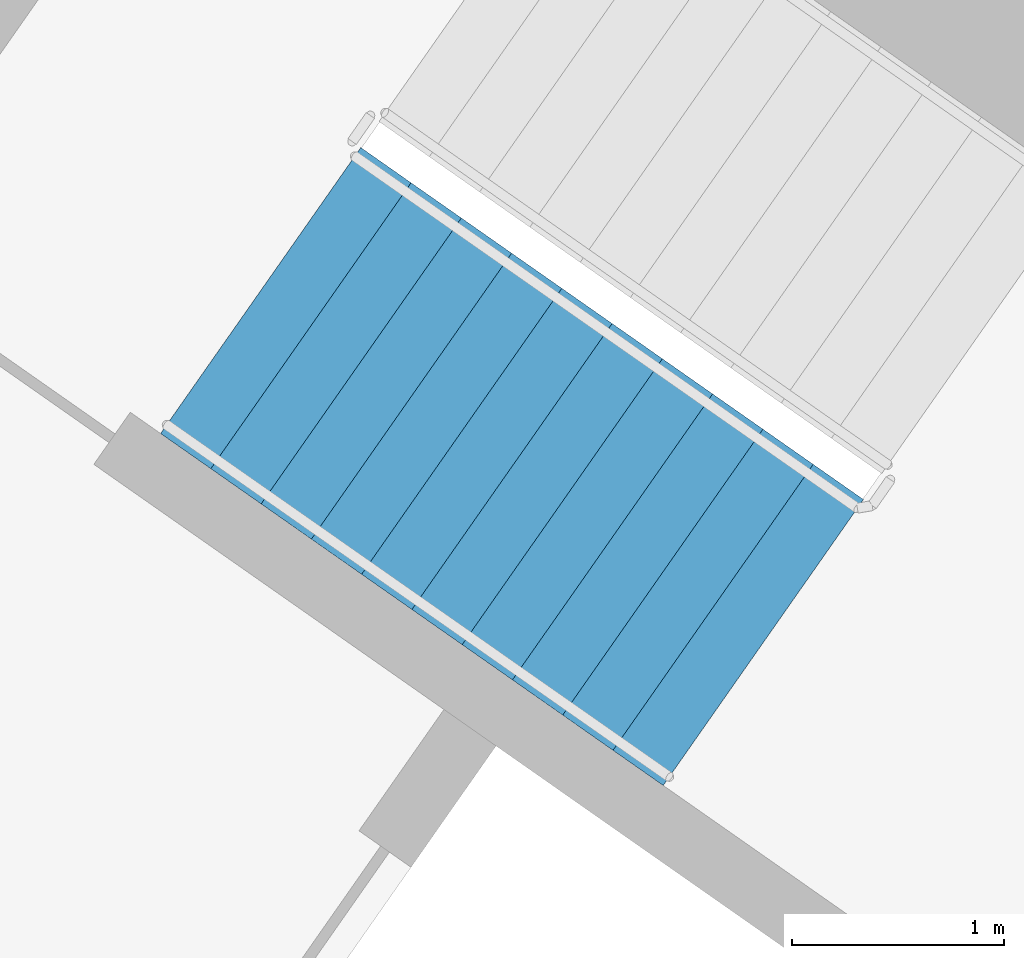
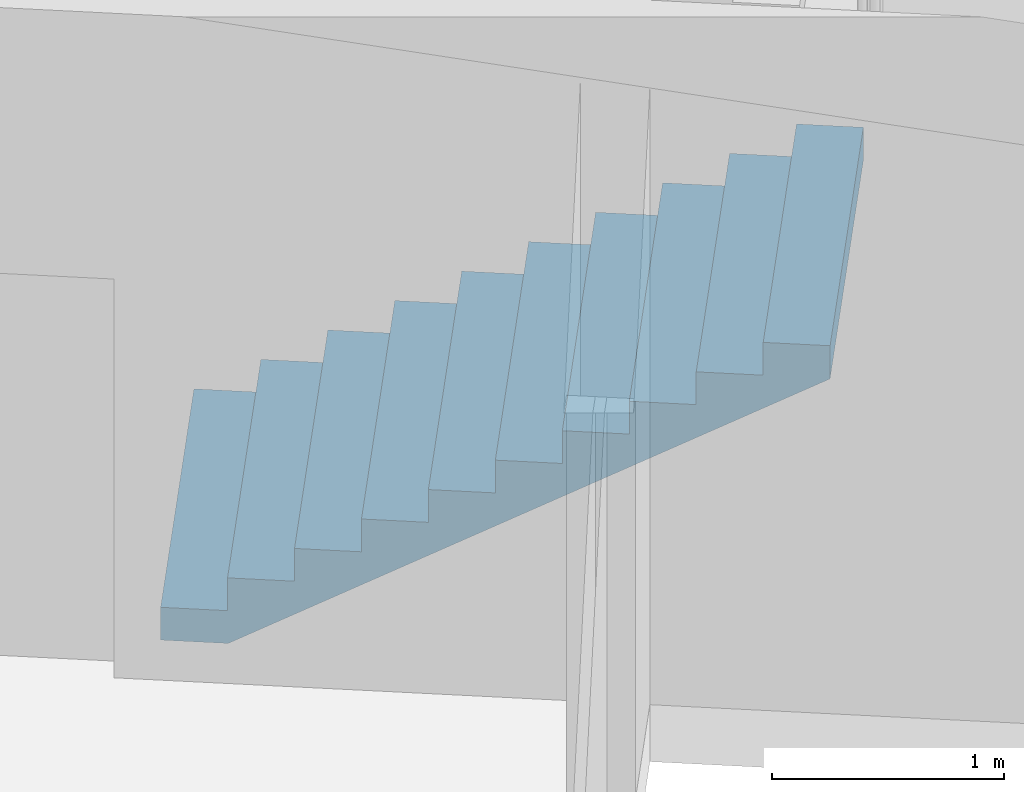
# One storey, part 12 of 30: 1 stair flight, 1 element without a shape of its own.
"""IFC4 building model written with IfcOpenShell, lengths in metres."""

from ifc_helpers import new_model, si_unit, direction, frame, origin, place, context, subcontext, project, spatial, faceted_brep, material, type_object, element, aggregate, save


model = new_model("IFC4")

# Units and contexts
model_context = context("Model", 3, precision=1e-05, world=origin(), true_north=direction((0.0, 1.0)))
body_context = subcontext(model_context, "Body", "Model", "MODEL_VIEW")
ifc_project = project(units=[si_unit("LENGTHUNIT", "METRE"), si_unit("AREAUNIT", "SQUARE_METRE"), si_unit("VOLUMEUNIT", "CUBIC_METRE"), si_unit("PLANEANGLEUNIT", "RADIAN"), si_unit("MASSUNIT", "GRAM", prefix="KILO")], contexts=[model_context])

# Site, building, storey
site_placement = place(None, origin())
site = spatial("IfcSite", under=ifc_project, at=site_placement, CompositionType="ELEMENT")
building_placement = place(site_placement, origin())
building = spatial("IfcBuilding", under=site, at=building_placement, Name="Qamariyya Broadcast Tower", CompositionType="ELEMENT")
storey_placement = place(building_placement, frame((0.0, 0.0, 102.5)))
storey = spatial("IfcBuildingStorey", under=building, at=storey_placement, Name="L22", CompositionType="ELEMENT", Elevation=102.5)

# Stair, stair flight
ifc_material = material(Name="Concrete C50/60", Category="concrete")
stair_type = type_object("IfcStairType", Name="Exit stair 22 risers of 173 mm", PredefinedType="HALF_TURN_STAIR", material=ifc_material)
stair_placement = place(storey_placement, origin())
stair = element("IfcStair", 1, at=stair_placement, inside=storey, type_object=stair_type, Name="L22 Stair W2", PredefinedType="HALF_TURN_STAIR")
stair_flight_type = type_object("IfcStairFlightType", Name="Exit stair flight 11 risers of 173 mm", PredefinedType="STRAIGHT", material=ifc_material)
stair_flight_placement = place(storey_placement, frame((-41.59130859375, -49.15966796875, 0.0), z_axis=(0.0, 0.0, 1.0), x_axis=(0.819152044289, -0.573576436351, 0.0)))
stair_flight = element("IfcStairFlight", 2, at=stair_flight_placement, type_object=stair_flight_type, Name="ST-W2 flight 1", NumberOfRisers=11, NumberOfTreads=10, PredefinedType="STRAIGHT", RiserHeight=0.172727273, TreadLength=0.29, context=body_context, shape_type="Brep", body=[
    faceted_brep([(0.0, 0.824951171875, 0.0), (0.0, 0.824951171875, 0.172607421875), (0.2900390625, 0.824951171875, 0.172607421875), (0.2900390625, 0.824951171875, 0.345458984375), (0.580078125, 0.824951171875, 0.345458984375), (0.580078125, 0.824951171875, 0.51806640625), (0.8701171875, 0.824951171875, 0.51806640625), (0.8701171875, 0.824951171875, 0.69091796875), (1.159912109375, 0.824951171875, 0.69091796875), (1.159912109375, 0.824951171875, 0.863525390625), (1.449951171875, 0.824951171875, 0.863525390625), (1.449951171875, 0.824951171875, 1.036376953125), (1.739990234375, 0.824951171875, 1.036376953125), (1.739990234375, 0.824951171875, 1.208984375), (2.030029296875, 0.824951171875, 1.208984375), (2.030029296875, 0.824951171875, 1.3818359375), (2.320068359375, 0.824951171875, 1.3818359375), (2.320068359375, 0.824951171875, 1.554443359375), (2.610107421875, 0.824951171875, 1.554443359375), (2.610107421875, 0.824951171875, 1.727294921875), (2.89990234375, 0.824951171875, 1.727294921875), (2.89990234375, 0.824951171875, 1.552734375), (0.29296875, 0.824951171875, 0.0), (0.29296875, -0.824951171875, 0.0), (2.89990234375, -0.824951171875, 1.552734375), (2.89990234375, -0.824951171875, 1.727294921875), (2.610107421875, -0.824951171875, 1.727294921875), (2.610107421875, -0.824951171875, 1.554443359375), (2.320068359375, -0.824951171875, 1.554443359375), (2.320068359375, -0.824951171875, 1.3818359375), (2.030029296875, -0.824951171875, 1.3818359375), (2.030029296875, -0.824951171875, 1.208984375), (1.739990234375, -0.824951171875, 1.208984375), (1.739990234375, -0.824951171875, 1.036376953125), (1.449951171875, -0.824951171875, 1.036376953125), (1.449951171875, -0.824951171875, 0.863525390625), (1.159912109375, -0.824951171875, 0.863525390625), (1.159912109375, -0.824951171875, 0.69091796875), (0.8701171875, -0.824951171875, 0.69091796875), (0.8701171875, -0.824951171875, 0.51806640625), (0.580078125, -0.824951171875, 0.51806640625), (0.580078125, -0.824951171875, 0.345458984375), (0.2900390625, -0.824951171875, 0.345458984375), (0.2900390625, -0.824951171875, 0.172607421875), (0.0, -0.824951171875, 0.172607421875), (0.0, -0.824951171875, 0.0), (0.0, 0.10009765625, 0.0), (0.0, 0.086669921875, 0.0), (0.0, 0.0732421875, 0.0), (0.0, 0.06005859375, 0.0), (0.0, 0.046630859375, 0.0), (0.0, 0.033447265625, 0.0), (0.0, 0.02001953125, 0.0), (0.0, 0.006591796875, 0.0), (0.0, -0.006591796875, 0.0), (0.0, -0.02001953125, 0.0), (0.0, -0.033447265625, 0.0), (0.0, -0.046630859375, 0.0), (0.0, -0.06005859375, 0.0), (0.0, -0.0732421875, 0.0), (0.0, -0.086669921875, 0.0), (0.0, -0.10009765625, 0.0), (0.0, -0.10009765625, 0.172607421875), (0.0, -0.086669921875, 0.172607421875), (0.0, -0.0732421875, 0.172607421875), (0.0, -0.06005859375, 0.172607421875), (0.0, -0.046630859375, 0.172607421875), (0.0, -0.033447265625, 0.172607421875), (0.0, -0.02001953125, 0.172607421875), (0.0, -0.006591796875, 0.172607421875), (0.0, 0.006591796875, 0.172607421875), (0.0, 0.02001953125, 0.172607421875), (0.0, 0.033447265625, 0.172607421875), (0.0, 0.046630859375, 0.172607421875), (0.0, 0.06005859375, 0.172607421875), (0.0, 0.0732421875, 0.172607421875), (0.0, 0.086669921875, 0.172607421875), (0.0, 0.10009765625, 0.172607421875), (0.2900390625, -0.10009765625, 0.172607421875), (0.2900390625, -0.086669921875, 0.172607421875), (0.2900390625, -0.0732421875, 0.172607421875), (0.2900390625, -0.06005859375, 0.172607421875), (0.2900390625, -0.046630859375, 0.172607421875), (0.2900390625, -0.033447265625, 0.172607421875), (0.2900390625, -0.02001953125, 0.172607421875), (0.2900390625, -0.006591796875, 0.172607421875), (0.2900390625, 0.006591796875, 0.172607421875), (0.2900390625, 0.02001953125, 0.172607421875), (0.2900390625, 0.033447265625, 0.172607421875), (0.2900390625, 0.046630859375, 0.172607421875), (0.2900390625, 0.06005859375, 0.172607421875), (0.2900390625, 0.0732421875, 0.172607421875), (0.2900390625, 0.086669921875, 0.172607421875), (0.2900390625, 0.10009765625, 0.172607421875), (0.2900390625, -0.10009765625, 0.345458984375), (0.2900390625, -0.086669921875, 0.345458984375), (0.2900390625, -0.0732421875, 0.345458984375), (0.2900390625, -0.06005859375, 0.345458984375), (0.2900390625, -0.046630859375, 0.345458984375), (0.2900390625, -0.033447265625, 0.345458984375), (0.2900390625, -0.02001953125, 0.345458984375), (0.2900390625, -0.006591796875, 0.345458984375), (0.2900390625, 0.006591796875, 0.345458984375), (0.2900390625, 0.02001953125, 0.345458984375), (0.2900390625, 0.033447265625, 0.345458984375), (0.2900390625, 0.046630859375, 0.345458984375), (0.2900390625, 0.06005859375, 0.345458984375), (0.2900390625, 0.0732421875, 0.345458984375), (0.2900390625, 0.086669921875, 0.345458984375), (0.2900390625, 0.10009765625, 0.345458984375), (0.580078125, -0.10009765625, 0.345458984375), (0.580078125, -0.086669921875, 0.345458984375), (0.580078125, -0.0732421875, 0.345458984375), (0.580078125, -0.06005859375, 0.345458984375), (0.580078125, -0.046630859375, 0.345458984375), (0.580078125, -0.033447265625, 0.345458984375), (0.580078125, -0.02001953125, 0.345458984375), (0.580078125, -0.006591796875, 0.345458984375), (0.580078125, 0.006591796875, 0.345458984375), (0.580078125, 0.02001953125, 0.345458984375), (0.580078125, 0.033447265625, 0.345458984375), (0.580078125, 0.046630859375, 0.345458984375), (0.580078125, 0.06005859375, 0.345458984375), (0.580078125, 0.0732421875, 0.345458984375), (0.580078125, 0.086669921875, 0.345458984375), (0.580078125, 0.10009765625, 0.345458984375), (0.580078125, -0.10009765625, 0.51806640625), (0.580078125, -0.086669921875, 0.51806640625), (0.580078125, -0.0732421875, 0.51806640625), (0.580078125, -0.06005859375, 0.51806640625), (0.580078125, -0.046630859375, 0.51806640625), (0.580078125, -0.033447265625, 0.51806640625), (0.580078125, -0.02001953125, 0.51806640625), (0.580078125, -0.006591796875, 0.51806640625), (0.580078125, 0.006591796875, 0.51806640625), (0.580078125, 0.02001953125, 0.51806640625), (0.580078125, 0.033447265625, 0.51806640625), (0.580078125, 0.046630859375, 0.51806640625), (0.580078125, 0.06005859375, 0.51806640625), (0.580078125, 0.0732421875, 0.51806640625), (0.580078125, 0.086669921875, 0.51806640625), (0.580078125, 0.10009765625, 0.51806640625), (0.8701171875, -0.10009765625, 0.51806640625), (0.8701171875, -0.086669921875, 0.51806640625), (0.8701171875, -0.0732421875, 0.51806640625), (0.8701171875, -0.06005859375, 0.51806640625), (0.8701171875, -0.046630859375, 0.51806640625), (0.8701171875, -0.033447265625, 0.51806640625), (0.8701171875, -0.02001953125, 0.51806640625), (0.8701171875, -0.006591796875, 0.51806640625), (0.8701171875, 0.006591796875, 0.51806640625), (0.8701171875, 0.02001953125, 0.51806640625), (0.8701171875, 0.033447265625, 0.51806640625), (0.8701171875, 0.046630859375, 0.51806640625), (0.8701171875, 0.06005859375, 0.51806640625), (0.8701171875, 0.0732421875, 0.51806640625), (0.8701171875, 0.086669921875, 0.51806640625), (0.8701171875, 0.10009765625, 0.51806640625), (0.8701171875, -0.10009765625, 0.69091796875), (0.8701171875, -0.086669921875, 0.69091796875), (0.8701171875, -0.0732421875, 0.69091796875), (0.8701171875, -0.06005859375, 0.69091796875), (0.8701171875, -0.046630859375, 0.69091796875), (0.8701171875, -0.033447265625, 0.69091796875), (0.8701171875, -0.02001953125, 0.69091796875), (0.8701171875, -0.006591796875, 0.69091796875), (0.8701171875, 0.006591796875, 0.69091796875), (0.8701171875, 0.02001953125, 0.69091796875), (0.8701171875, 0.033447265625, 0.69091796875), (0.8701171875, 0.046630859375, 0.69091796875), (0.8701171875, 0.06005859375, 0.69091796875), (0.8701171875, 0.0732421875, 0.69091796875), (0.8701171875, 0.086669921875, 0.69091796875), (0.8701171875, 0.10009765625, 0.69091796875), (1.159912109375, -0.10009765625, 0.69091796875), (1.159912109375, -0.086669921875, 0.69091796875), (1.159912109375, -0.0732421875, 0.69091796875), (1.159912109375, -0.06005859375, 0.69091796875), (1.159912109375, -0.046630859375, 0.69091796875), (1.159912109375, -0.033447265625, 0.69091796875), (1.159912109375, -0.02001953125, 0.69091796875), (1.159912109375, -0.006591796875, 0.69091796875), (1.159912109375, 0.006591796875, 0.69091796875), (1.159912109375, 0.02001953125, 0.69091796875), (1.159912109375, 0.033447265625, 0.69091796875), (1.159912109375, 0.046630859375, 0.69091796875), (1.159912109375, 0.06005859375, 0.69091796875), (1.159912109375, 0.0732421875, 0.69091796875), (1.159912109375, 0.086669921875, 0.69091796875), (1.159912109375, 0.10009765625, 0.69091796875), (1.159912109375, -0.10009765625, 0.863525390625), (1.159912109375, -0.086669921875, 0.863525390625), (1.159912109375, -0.0732421875, 0.863525390625), (1.159912109375, -0.06005859375, 0.863525390625), (1.159912109375, -0.046630859375, 0.863525390625), (1.159912109375, -0.033447265625, 0.863525390625), (1.159912109375, -0.02001953125, 0.863525390625), (1.159912109375, -0.006591796875, 0.863525390625), (1.159912109375, 0.006591796875, 0.863525390625), (1.159912109375, 0.02001953125, 0.863525390625), (1.159912109375, 0.033447265625, 0.863525390625), (1.159912109375, 0.046630859375, 0.863525390625), (1.159912109375, 0.06005859375, 0.863525390625), (1.159912109375, 0.0732421875, 0.863525390625), (1.159912109375, 0.086669921875, 0.863525390625), (1.159912109375, 0.10009765625, 0.863525390625), (1.449951171875, -0.10009765625, 0.863525390625), (1.449951171875, -0.086669921875, 0.863525390625), (1.449951171875, -0.0732421875, 0.863525390625), (1.449951171875, -0.06005859375, 0.863525390625), (1.449951171875, -0.046630859375, 0.863525390625), (1.449951171875, -0.033447265625, 0.863525390625), (1.449951171875, -0.02001953125, 0.863525390625), (1.449951171875, -0.006591796875, 0.863525390625), (1.449951171875, 0.006591796875, 0.863525390625), (1.449951171875, 0.02001953125, 0.863525390625), (1.449951171875, 0.033447265625, 0.863525390625), (1.449951171875, 0.046630859375, 0.863525390625), (1.449951171875, 0.06005859375, 0.863525390625), (1.449951171875, 0.0732421875, 0.863525390625), (1.449951171875, 0.086669921875, 0.863525390625), (1.449951171875, 0.10009765625, 0.863525390625), (1.449951171875, -0.10009765625, 1.036376953125), (1.449951171875, -0.086669921875, 1.036376953125), (1.449951171875, -0.0732421875, 1.036376953125), (1.449951171875, -0.06005859375, 1.036376953125), (1.449951171875, -0.046630859375, 1.036376953125), (1.449951171875, -0.033447265625, 1.036376953125), (1.449951171875, -0.02001953125, 1.036376953125), (1.449951171875, -0.006591796875, 1.036376953125), (1.449951171875, 0.006591796875, 1.036376953125), (1.449951171875, 0.02001953125, 1.036376953125), (1.449951171875, 0.033447265625, 1.036376953125), (1.449951171875, 0.046630859375, 1.036376953125), (1.449951171875, 0.06005859375, 1.036376953125), (1.449951171875, 0.0732421875, 1.036376953125), (1.449951171875, 0.086669921875, 1.036376953125), (1.449951171875, 0.10009765625, 1.036376953125), (1.739990234375, -0.10009765625, 1.036376953125), (1.739990234375, -0.086669921875, 1.036376953125), (1.739990234375, -0.0732421875, 1.036376953125), (1.739990234375, -0.06005859375, 1.036376953125), (1.739990234375, -0.046630859375, 1.036376953125), (1.739990234375, -0.033447265625, 1.036376953125), (1.739990234375, -0.02001953125, 1.036376953125), (1.739990234375, -0.006591796875, 1.036376953125), (1.739990234375, 0.006591796875, 1.036376953125), (1.739990234375, 0.02001953125, 1.036376953125), (1.739990234375, 0.033447265625, 1.036376953125), (1.739990234375, 0.046630859375, 1.036376953125), (1.739990234375, 0.06005859375, 1.036376953125), (1.739990234375, 0.0732421875, 1.036376953125), (1.739990234375, 0.086669921875, 1.036376953125), (1.739990234375, 0.10009765625, 1.036376953125), (1.739990234375, -0.10009765625, 1.208984375), (1.739990234375, -0.086669921875, 1.208984375), (1.739990234375, -0.0732421875, 1.208984375), (1.739990234375, -0.06005859375, 1.208984375), (1.739990234375, -0.046630859375, 1.208984375), (1.739990234375, -0.033447265625, 1.208984375), (1.739990234375, -0.02001953125, 1.208984375), (1.739990234375, -0.006591796875, 1.208984375), (1.739990234375, 0.006591796875, 1.208984375), (1.739990234375, 0.02001953125, 1.208984375), (1.739990234375, 0.033447265625, 1.208984375), (1.739990234375, 0.046630859375, 1.208984375), (1.739990234375, 0.06005859375, 1.208984375), (1.739990234375, 0.0732421875, 1.208984375), (1.739990234375, 0.086669921875, 1.208984375), (1.739990234375, 0.10009765625, 1.208984375), (2.030029296875, -0.10009765625, 1.208984375), (2.030029296875, -0.086669921875, 1.208984375), (2.030029296875, -0.0732421875, 1.208984375), (2.030029296875, -0.06005859375, 1.208984375), (2.030029296875, -0.046630859375, 1.208984375), (2.030029296875, -0.033447265625, 1.208984375), (2.030029296875, -0.02001953125, 1.208984375), (2.030029296875, -0.006591796875, 1.208984375), (2.030029296875, 0.006591796875, 1.208984375), (2.030029296875, 0.02001953125, 1.208984375), (2.030029296875, 0.033447265625, 1.208984375), (2.030029296875, 0.046630859375, 1.208984375), (2.030029296875, 0.06005859375, 1.208984375), (2.030029296875, 0.0732421875, 1.208984375), (2.030029296875, 0.086669921875, 1.208984375), (2.030029296875, 0.10009765625, 1.208984375), (2.030029296875, -0.10009765625, 1.3818359375), (2.030029296875, -0.086669921875, 1.3818359375), (2.030029296875, -0.0732421875, 1.3818359375), (2.030029296875, -0.06005859375, 1.3818359375), (2.030029296875, -0.046630859375, 1.3818359375), (2.030029296875, -0.033447265625, 1.3818359375), (2.030029296875, -0.02001953125, 1.3818359375), (2.030029296875, -0.006591796875, 1.3818359375), (2.030029296875, 0.006591796875, 1.3818359375), (2.030029296875, 0.02001953125, 1.3818359375), (2.030029296875, 0.033447265625, 1.3818359375), (2.030029296875, 0.046630859375, 1.3818359375), (2.030029296875, 0.06005859375, 1.3818359375), (2.030029296875, 0.0732421875, 1.3818359375), (2.030029296875, 0.086669921875, 1.3818359375), (2.030029296875, 0.10009765625, 1.3818359375), (2.320068359375, -0.10009765625, 1.3818359375), (2.320068359375, -0.086669921875, 1.3818359375), (2.320068359375, -0.0732421875, 1.3818359375), (2.320068359375, -0.06005859375, 1.3818359375), (2.320068359375, -0.046630859375, 1.3818359375), (2.320068359375, -0.033447265625, 1.3818359375), (2.320068359375, -0.02001953125, 1.3818359375), (2.320068359375, -0.006591796875, 1.3818359375), (2.320068359375, 0.006591796875, 1.3818359375), (2.320068359375, 0.02001953125, 1.3818359375), (2.320068359375, 0.033447265625, 1.3818359375), (2.320068359375, 0.046630859375, 1.3818359375), (2.320068359375, 0.06005859375, 1.3818359375), (2.320068359375, 0.0732421875, 1.3818359375), (2.320068359375, 0.086669921875, 1.3818359375), (2.320068359375, 0.10009765625, 1.3818359375), (2.320068359375, -0.10009765625, 1.554443359375), (2.320068359375, -0.086669921875, 1.554443359375), (2.320068359375, -0.0732421875, 1.554443359375), (2.320068359375, -0.06005859375, 1.554443359375), (2.320068359375, -0.046630859375, 1.554443359375), (2.320068359375, -0.033447265625, 1.554443359375), (2.320068359375, -0.02001953125, 1.554443359375), (2.320068359375, -0.006591796875, 1.554443359375), (2.320068359375, 0.006591796875, 1.554443359375), (2.320068359375, 0.02001953125, 1.554443359375), (2.320068359375, 0.033447265625, 1.554443359375), (2.320068359375, 0.046630859375, 1.554443359375), (2.320068359375, 0.06005859375, 1.554443359375), (2.320068359375, 0.0732421875, 1.554443359375), (2.320068359375, 0.086669921875, 1.554443359375), (2.320068359375, 0.10009765625, 1.554443359375), (2.610107421875, -0.10009765625, 1.554443359375), (2.610107421875, -0.086669921875, 1.554443359375), (2.610107421875, -0.0732421875, 1.554443359375), (2.610107421875, -0.06005859375, 1.554443359375), (2.610107421875, -0.046630859375, 1.554443359375), (2.610107421875, -0.033447265625, 1.554443359375), (2.610107421875, -0.02001953125, 1.554443359375), (2.610107421875, -0.006591796875, 1.554443359375), (2.610107421875, 0.006591796875, 1.554443359375), (2.610107421875, 0.02001953125, 1.554443359375), (2.610107421875, 0.033447265625, 1.554443359375), (2.610107421875, 0.046630859375, 1.554443359375), (2.610107421875, 0.06005859375, 1.554443359375), (2.610107421875, 0.0732421875, 1.554443359375), (2.610107421875, 0.086669921875, 1.554443359375), (2.610107421875, 0.10009765625, 1.554443359375), (2.610107421875, -0.10009765625, 1.727294921875), (2.610107421875, -0.086669921875, 1.727294921875), (2.610107421875, -0.0732421875, 1.727294921875), (2.610107421875, -0.06005859375, 1.727294921875), (2.610107421875, -0.046630859375, 1.727294921875), (2.610107421875, -0.033447265625, 1.727294921875), (2.610107421875, -0.02001953125, 1.727294921875), (2.610107421875, -0.006591796875, 1.727294921875), (2.610107421875, 0.006591796875, 1.727294921875), (2.610107421875, 0.02001953125, 1.727294921875), (2.610107421875, 0.033447265625, 1.727294921875), (2.610107421875, 0.046630859375, 1.727294921875), (2.610107421875, 0.06005859375, 1.727294921875), (2.610107421875, 0.0732421875, 1.727294921875), (2.610107421875, 0.086669921875, 1.727294921875), (2.610107421875, 0.10009765625, 1.727294921875), (2.89990234375, -0.10009765625, 1.727294921875), (2.89990234375, -0.086669921875, 1.727294921875), (2.89990234375, -0.0732421875, 1.727294921875), (2.89990234375, -0.06005859375, 1.727294921875), (2.89990234375, -0.046630859375, 1.727294921875), (2.89990234375, -0.033447265625, 1.727294921875), (2.89990234375, -0.02001953125, 1.727294921875), (2.89990234375, -0.006591796875, 1.727294921875), (2.89990234375, 0.006591796875, 1.727294921875), (2.89990234375, 0.02001953125, 1.727294921875), (2.89990234375, 0.033447265625, 1.727294921875), (2.89990234375, 0.046630859375, 1.727294921875), (2.89990234375, 0.06005859375, 1.727294921875), (2.89990234375, 0.0732421875, 1.727294921875), (2.89990234375, 0.086669921875, 1.727294921875), (2.89990234375, 0.10009765625, 1.727294921875), (2.89990234375, -0.10009765625, 1.552734375), (2.89990234375, -0.086669921875, 1.552734375), (2.89990234375, -0.0732421875, 1.552734375), (2.89990234375, -0.06005859375, 1.552734375), (2.89990234375, -0.046630859375, 1.552734375), (2.89990234375, -0.033447265625, 1.552734375), (2.89990234375, -0.02001953125, 1.552734375), (2.89990234375, -0.006591796875, 1.552734375), (2.89990234375, 0.006591796875, 1.552734375), (2.89990234375, 0.02001953125, 1.552734375), (2.89990234375, 0.033447265625, 1.552734375), (2.89990234375, 0.046630859375, 1.552734375), (2.89990234375, 0.06005859375, 1.552734375), (2.89990234375, 0.0732421875, 1.552734375), (2.89990234375, 0.086669921875, 1.552734375), (2.89990234375, 0.10009765625, 1.552734375), (0.29296875, -0.10009765625, 0.0), (0.29296875, -0.086669921875, 0.0), (0.29296875, -0.0732421875, 0.0), (0.29296875, -0.06005859375, 0.0), (0.29296875, -0.046630859375, 0.0), (0.29296875, -0.033447265625, 0.0), (0.29296875, -0.02001953125, 0.0), (0.29296875, -0.006591796875, 0.0), (0.29296875, 0.006591796875, 0.0), (0.29296875, 0.02001953125, 0.0), (0.29296875, 0.033447265625, 0.0), (0.29296875, 0.046630859375, 0.0), (0.29296875, 0.06005859375, 0.0), (0.29296875, 0.0732421875, 0.0), (0.29296875, 0.086669921875, 0.0), (0.29296875, 0.10009765625, 0.0)], [[[0, 1, 2, 3, 4, 5, 6, 7, 8, 9, 10, 11, 12, 13, 14, 15, 16, 17, 18, 19, 20, 21, 22]], [[23, 24, 25, 26, 27, 28, 29, 30, 31, 32, 33, 34, 35, 36, 37, 38, 39, 40, 41, 42, 43, 44, 45]], [[0, 46, 47, 48, 49, 50, 51, 52, 53, 54, 55, 56, 57, 58, 59, 60, 61, 45, 44, 62, 63, 64, 65, 66, 67, 68, 69, 70, 71, 72, 73, 74, 75, 76, 77, 1]], [[1, 77, 76, 75, 74, 73, 72, 71, 70, 69, 68, 67, 66, 65, 64, 63, 62, 44, 43, 78, 79, 80, 81, 82, 83, 84, 85, 86, 87, 88, 89, 90, 91, 92, 93, 2]], [[2, 93, 92, 91, 90, 89, 88, 87, 86, 85, 84, 83, 82, 81, 80, 79, 78, 43, 42, 94, 95, 96, 97, 98, 99, 100, 101, 102, 103, 104, 105, 106, 107, 108, 109, 3]], [[3, 109, 108, 107, 106, 105, 104, 103, 102, 101, 100, 99, 98, 97, 96, 95, 94, 42, 41, 110, 111, 112, 113, 114, 115, 116, 117, 118, 119, 120, 121, 122, 123, 124, 125, 4]], [[4, 125, 124, 123, 122, 121, 120, 119, 118, 117, 116, 115, 114, 113, 112, 111, 110, 41, 40, 126, 127, 128, 129, 130, 131, 132, 133, 134, 135, 136, 137, 138, 139, 140, 141, 5]], [[5, 141, 140, 139, 138, 137, 136, 135, 134, 133, 132, 131, 130, 129, 128, 127, 126, 40, 39, 142, 143, 144, 145, 146, 147, 148, 149, 150, 151, 152, 153, 154, 155, 156, 157, 6]], [[6, 157, 156, 155, 154, 153, 152, 151, 150, 149, 148, 147, 146, 145, 144, 143, 142, 39, 38, 158, 159, 160, 161, 162, 163, 164, 165, 166, 167, 168, 169, 170, 171, 172, 173, 7]], [[7, 173, 172, 171, 170, 169, 168, 167, 166, 165, 164, 163, 162, 161, 160, 159, 158, 38, 37, 174, 175, 176, 177, 178, 179, 180, 181, 182, 183, 184, 185, 186, 187, 188, 189, 8]], [[8, 189, 188, 187, 186, 185, 184, 183, 182, 181, 180, 179, 178, 177, 176, 175, 174, 37, 36, 190, 191, 192, 193, 194, 195, 196, 197, 198, 199, 200, 201, 202, 203, 204, 205, 9]], [[9, 205, 204, 203, 202, 201, 200, 199, 198, 197, 196, 195, 194, 193, 192, 191, 190, 36, 35, 206, 207, 208, 209, 210, 211, 212, 213, 214, 215, 216, 217, 218, 219, 220, 221, 10]], [[10, 221, 220, 219, 218, 217, 216, 215, 214, 213, 212, 211, 210, 209, 208, 207, 206, 35, 34, 222, 223, 224, 225, 226, 227, 228, 229, 230, 231, 232, 233, 234, 235, 236, 237, 11]], [[11, 237, 236, 235, 234, 233, 232, 231, 230, 229, 228, 227, 226, 225, 224, 223, 222, 34, 33, 238, 239, 240, 241, 242, 243, 244, 245, 246, 247, 248, 249, 250, 251, 252, 253, 12]], [[12, 253, 252, 251, 250, 249, 248, 247, 246, 245, 244, 243, 242, 241, 240, 239, 238, 33, 32, 254, 255, 256, 257, 258, 259, 260, 261, 262, 263, 264, 265, 266, 267, 268, 269, 13]], [[13, 269, 268, 267, 266, 265, 264, 263, 262, 261, 260, 259, 258, 257, 256, 255, 254, 32, 31, 270, 271, 272, 273, 274, 275, 276, 277, 278, 279, 280, 281, 282, 283, 284, 285, 14]], [[14, 285, 284, 283, 282, 281, 280, 279, 278, 277, 276, 275, 274, 273, 272, 271, 270, 31, 30, 286, 287, 288, 289, 290, 291, 292, 293, 294, 295, 296, 297, 298, 299, 300, 301, 15]], [[15, 301, 300, 299, 298, 297, 296, 295, 294, 293, 292, 291, 290, 289, 288, 287, 286, 30, 29, 302, 303, 304, 305, 306, 307, 308, 309, 310, 311, 312, 313, 314, 315, 316, 317, 16]], [[16, 317, 316, 315, 314, 313, 312, 311, 310, 309, 308, 307, 306, 305, 304, 303, 302, 29, 28, 318, 319, 320, 321, 322, 323, 324, 325, 326, 327, 328, 329, 330, 331, 332, 333, 17]], [[17, 333, 332, 331, 330, 329, 328, 327, 326, 325, 324, 323, 322, 321, 320, 319, 318, 28, 27, 334, 335, 336, 337, 338, 339, 340, 341, 342, 343, 344, 345, 346, 347, 348, 349, 18]], [[18, 349, 348, 347, 346, 345, 344, 343, 342, 341, 340, 339, 338, 337, 336, 335, 334, 27, 26, 350, 351, 352, 353, 354, 355, 356, 357, 358, 359, 360, 361, 362, 363, 364, 365, 19]], [[19, 365, 364, 363, 362, 361, 360, 359, 358, 357, 356, 355, 354, 353, 352, 351, 350, 26, 25, 366, 367, 368, 369, 370, 371, 372, 373, 374, 375, 376, 377, 378, 379, 380, 381, 20]], [[20, 381, 380, 379, 378, 377, 376, 375, 374, 373, 372, 371, 370, 369, 368, 367, 366, 25, 24, 382, 383, 384, 385, 386, 387, 388, 389, 390, 391, 392, 393, 394, 395, 396, 397, 21]], [[21, 397, 396, 395, 394, 393, 392, 391, 390, 389, 388, 387, 386, 385, 384, 383, 382, 24, 23, 398, 399, 400, 401, 402, 403, 404, 405, 406, 407, 408, 409, 410, 411, 412, 413, 22]], [[22, 413, 412, 411, 410, 409, 408, 407, 406, 405, 404, 403, 402, 401, 400, 399, 398, 23, 45, 61, 60, 59, 58, 57, 56, 55, 54, 53, 52, 51, 50, 49, 48, 47, 46, 0]]]),
])
aggregate(stair, [stair_flight])

save(model, "model.ifc")
